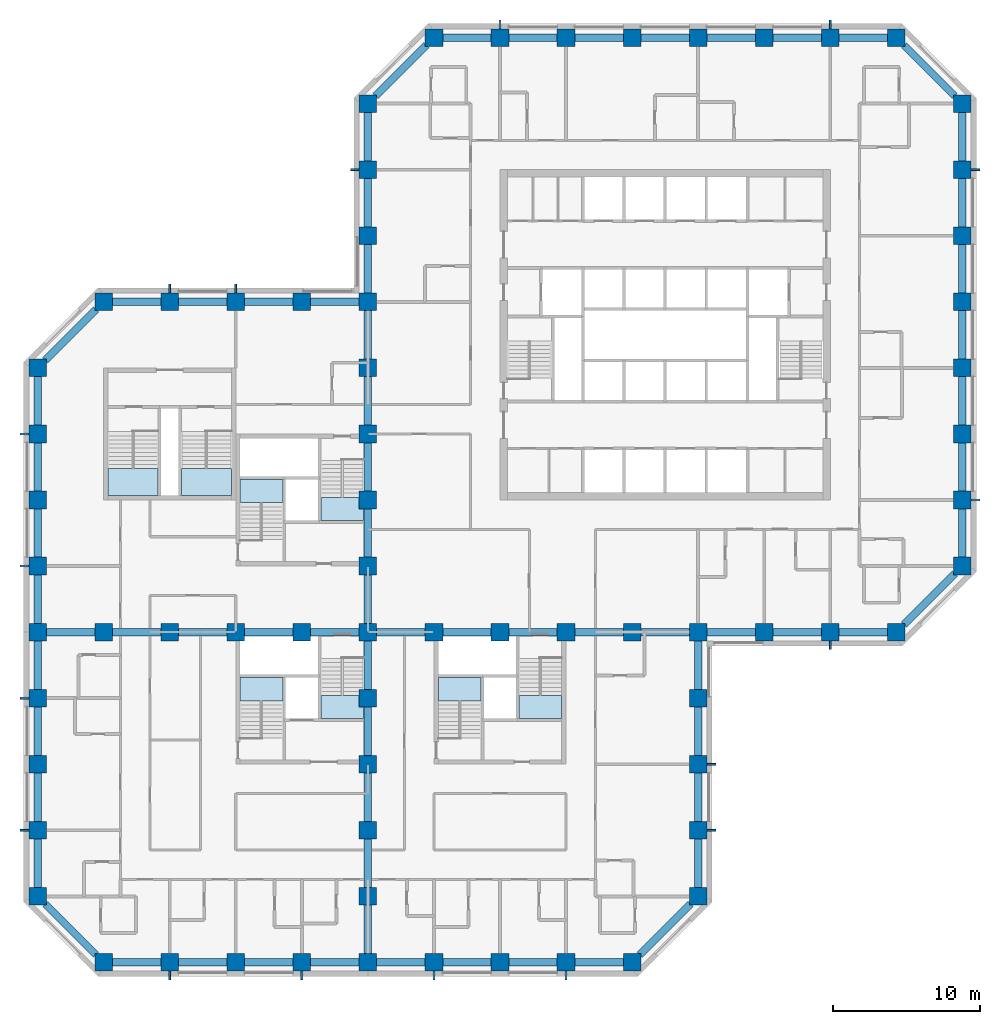
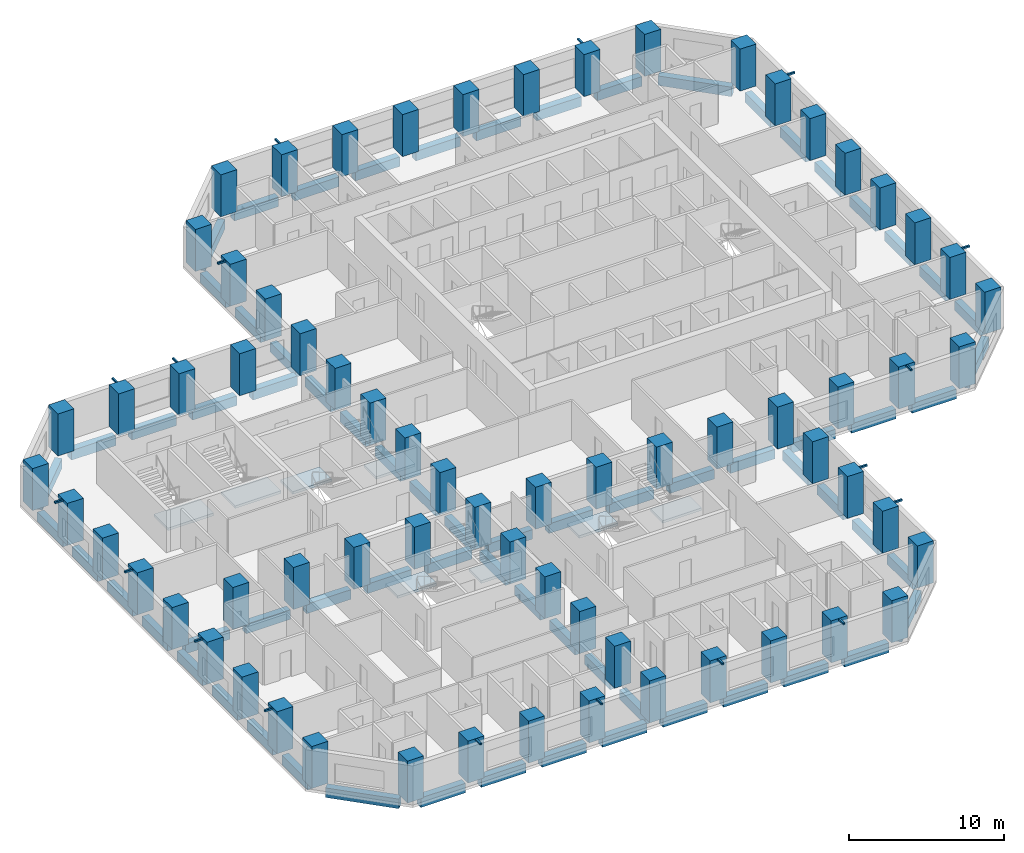
# One storey, part 1 of 13: 88 beams, 67 columns, 8 slabs, 8 elements without a shape of their own.
"""IFC4 building model written with IfcOpenShell, lengths in metres."""

from ifc_helpers import new_model, si_unit, direction, frame, origin, origin_2d, place, context, subcontext, project, spatial, polyline, rectangle, hollow_rectangle, outline, extrude, material, layer, layer_set, material_profile, profile_set, type_object, element, aggregate, save


model = new_model("IFC4")

# Units and contexts
model_context = context("Model", 3, precision=1e-05, world=origin(), true_north=direction((0.0, 1.0)))
body_context = subcontext(model_context, "Body", "Model", "MODEL_VIEW")
ifc_project = project(units=[si_unit("LENGTHUNIT", "METRE"), si_unit("AREAUNIT", "SQUARE_METRE"), si_unit("VOLUMEUNIT", "CUBIC_METRE"), si_unit("PLANEANGLEUNIT", "RADIAN"), si_unit("MASSUNIT", "GRAM", prefix="KILO")], contexts=[model_context])

# Site, building, storey
site_placement = place(None, origin())
site = spatial("IfcSite", under=ifc_project, at=site_placement, CompositionType="ELEMENT")
building_placement = place(site_placement, origin())
building = spatial("IfcBuilding", under=site, at=building_placement, Name="Quoin Convention Tower", CompositionType="ELEMENT")
storey_placement = place(building_placement, frame((0.0, 0.0, 49.5)))
storey = spatial("IfcBuildingStorey", under=building, at=storey_placement, Name="L12", CompositionType="ELEMENT", Elevation=49.5)

# Columns
ifc_material_1 = material(Name="Concrete C80", Category="concrete")
ifc_material_profile_1 = material_profile(ifc_material_1, rectangle(XDim=1.199951171875, YDim=1.199951171875, at=origin_2d()), Name="RC 1200x1200")
ifc_profile_set_1 = profile_set([ifc_material_profile_1], Name="Concrete C80")
column_type = type_object("IfcColumnType", Name="RC 1200x1200 C80", PredefinedType="COLUMN", material=ifc_profile_set_1)
for number, where, z_axis, x_axis, name in (
    (1, (18.0, 18.0, 0.0), (0.0, 0.0, 1.0), (1.0, 0.0, 0.0), "col-L12-18000_18000"),
    (2, (22.5, 18.0, 0.0), (0.0, 0.0, 1.0), (1.0, 0.0, 0.0), "col-L12-22500_18000"),
    (3, (27.0, 18.0, 0.0), (0.0, 0.0, 1.0), (1.0, 0.0, 0.0), "col-L12-27000_18000"),
    (4, (31.5, 18.0, 0.0), (0.0, 0.0, 1.0), (1.0, 0.0, 0.0), "col-L12-31500_18000"),
    (5, (36.0, 18.0, 0.0), (0.0, 0.0, 1.0), (1.0, 0.0, 0.0), "col-L12-36000_18000"),
    (6, (40.5, 18.0, 0.0), (0.0, 0.0, 1.0), (1.0, 0.0, 0.0), "col-L12-40500_18000"),
    (7, (45.0, 18.0, 0.0), (0.0, 0.0, 1.0), (1.0, 0.0, 0.0), "col-L12-45000_18000"),
    (8, (49.5, 18.0, 0.0), (0.0, 0.0, 1.0), (1.0, 0.0, 0.0), "col-L12-49500_18000"),
    (9, (54.0, 18.0, 0.0), (0.0, 0.0, 1.0), (1.0, 0.0, 0.0), "col-L12-54000_18000"),
    (10, (13.5, 22.5, 0.0), (0.0, 0.0, 1.0), (1.0, 0.0, 0.0), "col-L12-13500_22500"),
    (11, (36.0, 22.5, 0.0), (0.0, 0.0, 1.0), (1.0, 0.0, 0.0), "web-L12-36000_22500"),
    (12, (58.5, 22.5, 0.0), (0.0, 0.0, 1.0), (1.0, 0.0, 0.0), "col-L12-58500_22500"),
    (13, (13.5, 27.0, 0.0), (0.0, 0.0, 1.0), (1.0, 0.0, 0.0), "col-L12-13500_27000"),
    (14, (36.0, 27.0, 0.0), (0.0, 0.0, 1.0), (1.0, 0.0, 0.0), "web-L12-36000_27000"),
    (15, (58.5, 27.0, 0.0), (0.0, 0.0, 1.0), (1.0, 0.0, 0.0), "col-L12-58500_27000"),
    (16, (13.5, 31.5, 0.0), (0.0, 0.0, 1.0), (1.0, 0.0, 0.0), "col-L12-13500_31500"),
    (17, (36.0, 31.5, 0.0), (0.0, 0.0, 1.0), (1.0, 0.0, 0.0), "web-L12-36000_31500"),
    (18, (58.5, 31.5, 0.0), (0.0, 0.0, 1.0), (1.0, 0.0, 0.0), "col-L12-58500_31500"),
    (19, (13.5, 36.0, 0.0), (0.0, 0.0, 1.0), (1.0, 0.0, 0.0), "col-L12-13500_36000"),
    (20, (36.0, 36.0, 0.0), (0.0, 0.0, 1.0), (1.0, 0.0, 0.0), "web-L12-36000_36000"),
    (21, (58.5, 36.0, 0.0), (0.0, 0.0, 1.0), (1.0, 0.0, 0.0), "col-L12-58500_36000"),
    (22, (13.5, 40.5, 0.0), (0.0, 0.0, 1.0), (1.0, 0.0, 0.0), "col-L12-13500_40500"),
    (23, (18.0, 40.5, 0.0), (0.0, 0.0, 1.0), (1.0, 0.0, 0.0), "web-L12-18000_40500"),
    (24, (22.5, 40.5, 0.0), (0.0, 0.0, 1.0), (1.0, 0.0, 0.0), "web-L12-22500_40500"),
    (25, (27.0, 40.5, 0.0), (0.0, 0.0, 1.0), (1.0, 0.0, 0.0), "web-L12-27000_40500"),
    (26, (31.5, 40.5, 0.0), (0.0, 0.0, 1.0), (1.0, 0.0, 0.0), "web-L12-31500_40500"),
    (27, (36.0, 40.5, 0.0), (0.0, 0.0, 1.0), (1.0, 0.0, 0.0), "web-L12-36000_40500"),
    (28, (40.5, 40.5, 0.0), (0.0, 0.0, 1.0), (1.0, 0.0, 0.0), "web-L12-40500_40500"),
    (29, (45.0, 40.5, 0.0), (0.0, 0.0, 1.0), (1.0, 0.0, 0.0), "web-L12-45000_40500"),
    (30, (49.5, 40.5, 0.0), (0.0, 0.0, 1.0), (1.0, 0.0, 0.0), "web-L12-49500_40500"),
    (31, (54.0, 40.5, 0.0), (0.0, 0.0, 1.0), (1.0, 0.0, 0.0), "web-L12-54000_40500"),
    (32, (58.5, 40.5, 0.0), (0.0, 0.0, 1.0), (1.0, 0.0, 0.0), "col-L12-58500_40500"),
    (33, (63.0, 40.5, 0.0), (0.0, 0.0, 1.0), (1.0, 0.0, 0.0), "col-L12-63000_40500"),
    (34, (67.5, 40.5, 0.0), (0.0, 0.0, 1.0), (1.0, 0.0, 0.0), "col-L12-67500_40500"),
    (35, (72.0, 40.5, 0.0), (0.0, 0.0, 1.0), (1.0, 0.0, 0.0), "col-L12-72000_40500"),
    (36, (13.5, 45.0, 0.0), (0.0, 0.0, 1.0), (1.0, 0.0, 0.0), "col-L12-13500_45000"),
    (37, (36.0, 45.0, 0.0), (0.0, 0.0, 1.0), (1.0, 0.0, 0.0), "web-L12-36000_45000"),
    (38, (76.5, 45.0, 0.0), (0.0, 0.0, 1.0), (1.0, 0.0, 0.0), "col-L12-76500_45000"),
    (39, (13.5, 49.5, 0.0), (0.0, 0.0, 1.0), (1.0, 0.0, 0.0), "col-L12-13500_49500"),
    (40, (36.0, 49.5, 0.0), (0.0, 0.0, 1.0), (1.0, 0.0, 0.0), "web-L12-36000_49500"),
    (41, (76.5, 49.5, 0.0), (0.0, 0.0, 1.0), (1.0, 0.0, 0.0), "col-L12-76500_49500"),
    (42, (13.5, 54.0, 0.0), (0.0, 0.0, 1.0), (1.0, 0.0, 0.0), "col-L12-13500_54000"),
    (43, (36.0, 54.0, 0.0), (0.0, 0.0, 1.0), (1.0, 0.0, 0.0), "web-L12-36000_54000"),
    (44, (76.5, 54.0, 0.0), (0.0, 0.0, 1.0), (1.0, 0.0, 0.0), "col-L12-76500_54000"),
    (45, (13.5, 58.5, 0.0), (0.0, 0.0, 1.0), (1.0, 0.0, 0.0), "col-L12-13500_58500"),
    (46, (36.0, 58.5, 0.0), (0.0, 0.0, 1.0), (1.0, 0.0, 0.0), "web-L12-36000_58500"),
    (47, (76.5, 58.5, 0.0), (0.0, 0.0, 1.0), (1.0, 0.0, 0.0), "col-L12-76500_58500"),
    (48, (18.0, 63.0, 0.0), (0.0, 0.0, 1.0), (1.0, 0.0, 0.0), "col-L12-18000_63000"),
    (49, (22.5, 63.0, 0.0), (0.0, 0.0, 1.0), (1.0, 0.0, 0.0), "col-L12-22500_63000"),
    (50, (27.0, 63.0, 0.0), (0.0, 0.0, 1.0), (1.0, 0.0, 0.0), "col-L12-27000_63000"),
    (51, (31.5, 63.0, 0.0), (0.0, 0.0, 1.0), (1.0, 0.0, 0.0), "col-L12-31500_63000"),
    (52, (36.0, 63.0, 0.0), (0.0, 0.0, 1.0), (1.0, 0.0, 0.0), "col-L12-36000_63000"),
    (53, (76.5, 63.0, 0.0), (0.0, 0.0, 1.0), (1.0, 0.0, 0.0), "col-L12-76500_63000"),
    (54, (36.0, 67.5, 0.0), (0.0, 0.0, 1.0), (1.0, 0.0, 0.0), "col-L12-36000_67500"),
    (55, (76.5, 67.5, 0.0), (0.0, 0.0, 1.0), (1.0, 0.0, 0.0), "col-L12-76500_67500"),
    (56, (36.0, 72.0, 0.0), (0.0, 0.0, 1.0), (1.0, 0.0, 0.0), "col-L12-36000_72000"),
    (57, (76.5, 72.0, 0.0), (0.0, 0.0, 1.0), (1.0, 0.0, 0.0), "col-L12-76500_72000"),
    (58, (36.0, 76.5, 0.0), (0.0, 0.0, 1.0), (1.0, 0.0, 0.0), "col-L12-36000_76500"),
    (59, (76.5, 76.5, 0.0), (0.0, 0.0, 1.0), (1.0, 0.0, 0.0), "col-L12-76500_76500"),
    (60, (40.5, 81.0, 0.0), (0.0, 0.0, 1.0), (1.0, 0.0, 0.0), "col-L12-40500_81000"),
    (61, (45.0, 81.0, 0.0), (0.0, 0.0, 1.0), (1.0, 0.0, 0.0), "col-L12-45000_81000"),
    (62, (49.5, 81.0, 0.0), (0.0, 0.0, 1.0), (1.0, 0.0, 0.0), "col-L12-49500_81000"),
    (63, (54.0, 81.0, 0.0), (0.0, 0.0, 1.0), (1.0, 0.0, 0.0), "col-L12-54000_81000"),
    (64, (58.5, 81.0, 0.0), (0.0, 0.0, 1.0), (1.0, 0.0, 0.0), "col-L12-58500_81000"),
    (65, (63.0, 81.0, 0.0), (0.0, 0.0, 1.0), (1.0, 0.0, 0.0), "col-L12-63000_81000"),
    (66, (67.5, 81.0, 0.0), (0.0, 0.0, 1.0), (1.0, 0.0, 0.0), "col-L12-67500_81000"),
    (67, (72.0, 81.0, 0.0), (0.0, 0.0, 1.0), (1.0, 0.0, 0.0), "col-L12-72000_81000"),
):
    element("IfcColumn", number, at=place(storey_placement, frame(where, z_axis=z_axis, x_axis=x_axis)), inside=storey, type_object=column_type, Name=name, PredefinedType="COLUMN", context=body_context, shape_type="SweptSolid", body=[
        extrude(rectangle(XDim=1.199951171875, YDim=1.199951171875, at=origin_2d()), origin(), (0.0, 0.0, 1.0), 3.300048828125),
    ])

# Beams
ifc_material_2 = material(Name="Steel C450L0", Category="steel")
ifc_material_profile_2 = material_profile(ifc_material_2, hollow_rectangle(XDim=0.14990234375, YDim=0.14990234375, WallThickness=0.008056640625, InnerFilletRadius=0.011962890625, OuterFilletRadius=0.02001953125, at=origin_2d()), Name="150x150x8.0SHS")
ifc_profile_set_2 = profile_set([ifc_material_profile_2], Name="Steel C450L0")
beam_type_1 = type_object("IfcBeamType", Name="150x150x8.0SHS", PredefinedType="BEAM", material=ifc_profile_set_2)
for number, where, z_axis, x_axis, name in (
    (68, (12.89990234375, 36.0, 3.22509765625), (-1.0, 0.0, 0.0), (0.0, -1.0, 0.0), "brk-hi-L09-13500_40500-13500_36000"),
    (69, (12.89990234375, 27.0, 3.22509765625), (-1.0, 0.0, 0.0), (0.0, -1.0, 0.0), "brk-hi-L09-13500_27000-13500_22500"),
    (70, (12.89990234375, 54.0, 3.22509765625), (-1.0, 0.0, 0.0), (0.0, -1.0, 0.0), "brk-hi-L09-13500_58500-13500_54000"),
    (71, (12.89990234375, 45.0, 3.22509765625), (-1.0, 0.0, 0.0), (0.0, -1.0, 0.0), "brk-hi-L09-13500_45000-13500_40500"),
    (72, (22.5, 17.39990234375, 3.22509765625), (0.0, -1.0, 0.0), (1.0, 0.0, 0.0), "brk-hi-L09-18000_18000-22500_18000"),
    (73, (31.5, 17.39990234375, 3.22509765625), (0.0, -1.0, 0.0), (1.0, 0.0, 0.0), "brk-hi-L09-31500_18000-36000_18000"),
    (74, (40.5, 17.39990234375, 3.22509765625), (0.0, -1.0, 0.0), (1.0, 0.0, 0.0), "brk-hi-L09-36000_18000-40500_18000"),
    (75, (49.5, 17.39990234375, 3.22509765625), (0.0, -1.0, 0.0), (1.0, 0.0, 0.0), "brk-hi-L09-49500_18000-54000_18000"),
    (76, (27.0, 63.60009765625, 3.22509765625), (0.0, 1.0, 0.0), (-1.0, 0.0, 0.0), "brk-hi-L09-31500_63000-27000_63000"),
    (77, (22.5, 63.60009765625, 3.22509765625), (0.0, 1.0, 0.0), (-1.0, 0.0, 0.0), "brk-hi-L09-22500_63000-18000_63000"),
    (78, (35.39990234375, 72.0, 3.22509765625), (-1.0, 0.0, 0.0), (0.0, -1.0, 0.0), "brk-hi-L09-36000_76500-36000_72000"),
    (79, (59.10009765625, 27.0, 3.22509765625), (1.0, 0.0, 0.0), (0.0, 1.0, 0.0), "brk-hi-L09-58500_22500-58500_27000"),
    (80, (59.10009765625, 31.5, 3.22509765625), (1.0, 0.0, 0.0), (0.0, 1.0, 0.0), "brk-hi-L09-58500_31500-58500_36000"),
    (81, (67.5, 39.89990234375, 3.22509765625), (0.0, -1.0, 0.0), (1.0, 0.0, 0.0), "brk-hi-L09-63000_40500-67500_40500"),
    (82, (67.5, 81.60009765625, 3.22509765625), (0.0, 1.0, 0.0), (-1.0, 0.0, 0.0), "brk-hi-L09-72000_81000-67500_81000"),
    (83, (45.0, 81.60009765625, 3.22509765625), (0.0, 1.0, 0.0), (-1.0, 0.0, 0.0), "brk-hi-L09-45000_81000-40500_81000"),
    (84, (77.10009765625, 49.5, 3.22509765625), (1.0, 0.0, 0.0), (0.0, 1.0, 0.0), "brk-hi-L09-76500_45000-76500_49500"),
    (85, (77.10009765625, 72.0, 3.22509765625), (1.0, 0.0, 0.0), (0.0, 1.0, 0.0), "brk-hi-L09-76500_72000-76500_76500"),
):
    element("IfcBeam", number, at=place(storey_placement, frame(where, z_axis=z_axis, x_axis=x_axis)), inside=storey, type_object=beam_type_1, Name=name, PredefinedType="BEAM", context=body_context, shape_type="SweptSolid", body=[
        extrude(hollow_rectangle(XDim=0.14990234375, YDim=0.14990234375, WallThickness=0.008056640625, InnerFilletRadius=0.011962890625, OuterFilletRadius=0.02001953125, at=origin_2d()), origin(), (0.0, 0.0, 1.0), 0.599853515625),
    ])
ifc_material_profile_3 = material_profile(ifc_material_1, rectangle(XDim=0.5, YDim=0.75, at=origin_2d()), Name="RC 500x750")
ifc_profile_set_3 = profile_set([ifc_material_profile_3], Name="Concrete C80")
beam_type_2 = type_object("IfcBeamType", Name="RC 500x750 C80", PredefinedType="SPANDREL", material=ifc_profile_set_3)
beam_1_placement = place(storey_placement, frame((14.01513671875, 21.98486328125, -0.594970703125), z_axis=(0.707106781187, -0.707106781187, 0.0), x_axis=(0.707106781187, 0.707106781187, 0.0)))
element("IfcBeam", 86, at=beam_1_placement, inside=storey, type_object=beam_type_2, Name="spd-L12-13500_22500-18000_18000", PredefinedType="SPANDREL", context=body_context, shape_type="SweptSolid", body=[
    extrude(rectangle(XDim=0.5, YDim=0.75, at=origin_2d()), origin(), (0.0, 0.0, 1.0), 4.906982421875),
])
for number, where, z_axis, x_axis, name in (
    (87, (18.60009765625, 18.0, -0.594970703125), (1.0, 0.0, 0.0), (0.0, 1.0, 0.0), "spd-L12-18000_18000-22500_18000"),
    (88, (23.10009765625, 18.0, -0.594970703125), (1.0, 0.0, 0.0), (0.0, 1.0, 0.0), "spd-L12-22500_18000-27000_18000"),
    (89, (27.60009765625, 18.0, -0.594970703125), (1.0, 0.0, 0.0), (0.0, 1.0, 0.0), "spd-L12-27000_18000-31500_18000"),
    (90, (32.10009765625, 18.0, -0.594970703125), (1.0, 0.0, 0.0), (0.0, 1.0, 0.0), "spd-L12-31500_18000-36000_18000"),
    (91, (36.60009765625, 18.0, -0.594970703125), (1.0, 0.0, 0.0), (0.0, 1.0, 0.0), "spd-L12-36000_18000-40500_18000"),
    (92, (41.10009765625, 18.0, -0.594970703125), (1.0, 0.0, 0.0), (0.0, 1.0, 0.0), "spd-L12-40500_18000-45000_18000"),
    (93, (45.60009765625, 18.0, -0.594970703125), (1.0, 0.0, 0.0), (0.0, 1.0, 0.0), "spd-L12-45000_18000-49500_18000"),
    (94, (50.10009765625, 18.0, -0.594970703125), (1.0, 0.0, 0.0), (0.0, 1.0, 0.0), "spd-L12-49500_18000-54000_18000"),
):
    element("IfcBeam", number, at=place(storey_placement, frame(where, z_axis=z_axis, x_axis=x_axis)), inside=storey, type_object=beam_type_2, Name=name, PredefinedType="SPANDREL", context=body_context, shape_type="SweptSolid", body=[
        extrude(rectangle(XDim=0.5, YDim=0.75, at=origin_2d()), origin(), (0.0, 0.0, 1.0), 3.2998046875),
    ])
beam_2_placement = place(storey_placement, frame((54.51513671875, 18.51513671875, -0.594970703125), z_axis=(0.707106781187, 0.707106781187, 0.0), x_axis=(-0.707106781187, 0.707106781187, 0.0)))
element("IfcBeam", 95, at=beam_2_placement, inside=storey, type_object=beam_type_2, Name="spd-L12-54000_18000-58500_22500", PredefinedType="SPANDREL", context=body_context, shape_type="SweptSolid", body=[
    extrude(rectangle(XDim=0.5, YDim=0.75, at=origin_2d()), origin(), (0.0, 0.0, 1.0), 4.906982421875),
])
for number, where, z_axis, x_axis, name in (
    (96, (58.5, 23.10009765625, -0.594970703125), (0.0, 1.0, 0.0), (-1.0, 0.0, 0.0), "spd-L12-58500_22500-58500_27000"),
    (97, (58.5, 27.60009765625, -0.594970703125), (0.0, 1.0, 0.0), (-1.0, 0.0, 0.0), "spd-L12-58500_27000-58500_31500"),
    (98, (58.5, 32.10009765625, -0.594970703125), (0.0, 1.0, 0.0), (-1.0, 0.0, 0.0), "spd-L12-58500_31500-58500_36000"),
    (99, (58.5, 36.60009765625, -0.594970703125), (0.0, 1.0, 0.0), (-1.0, 0.0, 0.0), "spd-L12-58500_36000-58500_40500"),
    (100, (59.10009765625, 40.5, -0.594970703125), (1.0, 0.0, 0.0), (0.0, 1.0, 0.0), "spd-L12-58500_40500-63000_40500"),
    (101, (63.60009765625, 40.5, -0.594970703125), (1.0, 0.0, 0.0), (0.0, 1.0, 0.0), "spd-L12-63000_40500-67500_40500"),
    (102, (68.10009765625, 40.5, -0.594970703125), (1.0, 0.0, 0.0), (0.0, 1.0, 0.0), "spd-L12-67500_40500-72000_40500"),
):
    element("IfcBeam", number, at=place(storey_placement, frame(where, z_axis=z_axis, x_axis=x_axis)), inside=storey, type_object=beam_type_2, Name=name, PredefinedType="SPANDREL", context=body_context, shape_type="SweptSolid", body=[
        extrude(rectangle(XDim=0.5, YDim=0.75, at=origin_2d()), origin(), (0.0, 0.0, 1.0), 3.2998046875),
    ])
beam_3_placement = place(storey_placement, frame((72.51513671875, 41.01513671875, -0.594970703125), z_axis=(0.707106781187, 0.707106781187, 0.0), x_axis=(-0.707106781187, 0.707106781187, 0.0)))
element("IfcBeam", 103, at=beam_3_placement, inside=storey, type_object=beam_type_2, Name="spd-L12-72000_40500-76500_45000", PredefinedType="SPANDREL", context=body_context, shape_type="SweptSolid", body=[
    extrude(rectangle(XDim=0.5, YDim=0.75, at=origin_2d()), origin(), (0.0, 0.0, 1.0), 4.906982421875),
])
for number, where, z_axis, x_axis, name in (
    (104, (76.5, 45.60009765625, -0.594970703125), (0.0, 1.0, 0.0), (-1.0, 0.0, 0.0), "spd-L12-76500_45000-76500_49500"),
    (105, (76.5, 50.10009765625, -0.594970703125), (0.0, 1.0, 0.0), (-1.0, 0.0, 0.0), "spd-L12-76500_49500-76500_54000"),
    (106, (76.5, 54.60009765625, -0.594970703125), (0.0, 1.0, 0.0), (-1.0, 0.0, 0.0), "spd-L12-76500_54000-76500_58500"),
    (107, (76.5, 59.10009765625, -0.594970703125), (0.0, 1.0, 0.0), (-1.0, 0.0, 0.0), "spd-L12-76500_58500-76500_63000"),
    (108, (76.5, 63.60009765625, -0.594970703125), (0.0, 1.0, 0.0), (-1.0, 0.0, 0.0), "spd-L12-76500_63000-76500_67500"),
    (109, (76.5, 68.10009765625, -0.594970703125), (0.0, 1.0, 0.0), (-1.0, 0.0, 0.0), "spd-L12-76500_67500-76500_72000"),
    (110, (76.5, 72.60009765625, -0.594970703125), (0.0, 1.0, 0.0), (-1.0, 0.0, 0.0), "spd-L12-76500_72000-76500_76500"),
):
    element("IfcBeam", number, at=place(storey_placement, frame(where, z_axis=z_axis, x_axis=x_axis)), inside=storey, type_object=beam_type_2, Name=name, PredefinedType="SPANDREL", context=body_context, shape_type="SweptSolid", body=[
        extrude(rectangle(XDim=0.5, YDim=0.75, at=origin_2d()), origin(), (0.0, 0.0, 1.0), 3.2998046875),
    ])
beam_4_placement = place(storey_placement, frame((75.98486328125, 77.01513671875, -0.594970703125), z_axis=(-0.707106781187, 0.707106781187, 0.0), x_axis=(-0.707106781187, -0.707106781187, 0.0)))
element("IfcBeam", 111, at=beam_4_placement, inside=storey, type_object=beam_type_2, Name="spd-L12-76500_76500-72000_81000", PredefinedType="SPANDREL", context=body_context, shape_type="SweptSolid", body=[
    extrude(rectangle(XDim=0.5, YDim=0.75, at=origin_2d()), origin(), (0.0, 0.0, 1.0), 4.906982421875),
])
for number, where, z_axis, x_axis, name in (
    (112, (71.39990234375, 81.0, -0.594970703125), (-1.0, 0.0, 0.0), (0.0, -1.0, 0.0), "spd-L12-72000_81000-67500_81000"),
    (113, (66.89990234375, 81.0, -0.594970703125), (-1.0, 0.0, 0.0), (0.0, -1.0, 0.0), "spd-L12-67500_81000-63000_81000"),
    (114, (62.39990234375, 81.0, -0.594970703125), (-1.0, 0.0, 0.0), (0.0, -1.0, 0.0), "spd-L12-63000_81000-58500_81000"),
    (115, (57.89990234375, 81.0, -0.594970703125), (-1.0, 0.0, 0.0), (0.0, -1.0, 0.0), "spd-L12-58500_81000-54000_81000"),
    (116, (53.39990234375, 81.0, -0.594970703125), (-1.0, 0.0, 0.0), (0.0, -1.0, 0.0), "spd-L12-54000_81000-49500_81000"),
    (117, (48.89990234375, 81.0, -0.594970703125), (-1.0, 0.0, 0.0), (0.0, -1.0, 0.0), "spd-L12-49500_81000-45000_81000"),
    (118, (44.39990234375, 81.0, -0.594970703125), (-1.0, 0.0, 0.0), (0.0, -1.0, 0.0), "spd-L12-45000_81000-40500_81000"),
):
    element("IfcBeam", number, at=place(storey_placement, frame(where, z_axis=z_axis, x_axis=x_axis)), inside=storey, type_object=beam_type_2, Name=name, PredefinedType="SPANDREL", context=body_context, shape_type="SweptSolid", body=[
        extrude(rectangle(XDim=0.5, YDim=0.75, at=origin_2d()), origin(), (0.0, 0.0, 1.0), 3.2998046875),
    ])
beam_5_placement = place(storey_placement, frame((39.98486328125, 80.48486328125, -0.594970703125), z_axis=(-0.707106781187, -0.707106781187, 0.0), x_axis=(0.707106781187, -0.707106781187, 0.0)))
element("IfcBeam", 119, at=beam_5_placement, inside=storey, type_object=beam_type_2, Name="spd-L12-40500_81000-36000_76500", PredefinedType="SPANDREL", context=body_context, shape_type="SweptSolid", body=[
    extrude(rectangle(XDim=0.5, YDim=0.75, at=origin_2d()), origin(), (0.0, 0.0, 1.0), 4.906982421875),
])
for number, where, z_axis, x_axis, name in (
    (120, (36.0, 75.89990234375, -0.594970703125), (0.0, -1.0, 0.0), (1.0, 0.0, 0.0), "spd-L12-36000_76500-36000_72000"),
    (121, (36.0, 71.39990234375, -0.594970703125), (0.0, -1.0, 0.0), (1.0, 0.0, 0.0), "spd-L12-36000_72000-36000_67500"),
    (122, (36.0, 66.89990234375, -0.594970703125), (0.0, -1.0, 0.0), (1.0, 0.0, 0.0), "spd-L12-36000_67500-36000_63000"),
    (123, (35.39990234375, 63.0, -0.594970703125), (-1.0, 0.0, 0.0), (0.0, -1.0, 0.0), "spd-L12-36000_63000-31500_63000"),
    (124, (30.89990234375, 63.0, -0.594970703125), (-1.0, 0.0, 0.0), (0.0, -1.0, 0.0), "spd-L12-31500_63000-27000_63000"),
    (125, (26.39990234375, 63.0, -0.594970703125), (-1.0, 0.0, 0.0), (0.0, -1.0, 0.0), "spd-L12-27000_63000-22500_63000"),
    (126, (21.89990234375, 63.0, -0.594970703125), (-1.0, 0.0, 0.0), (0.0, -1.0, 0.0), "spd-L12-22500_63000-18000_63000"),
):
    element("IfcBeam", number, at=place(storey_placement, frame(where, z_axis=z_axis, x_axis=x_axis)), inside=storey, type_object=beam_type_2, Name=name, PredefinedType="SPANDREL", context=body_context, shape_type="SweptSolid", body=[
        extrude(rectangle(XDim=0.5, YDim=0.75, at=origin_2d()), origin(), (0.0, 0.0, 1.0), 3.2998046875),
    ])
beam_6_placement = place(storey_placement, frame((17.48486328125, 62.48486328125, -0.594970703125), z_axis=(-0.707106781187, -0.707106781187, 0.0), x_axis=(0.707106781187, -0.707106781187, 0.0)))
element("IfcBeam", 127, at=beam_6_placement, inside=storey, type_object=beam_type_2, Name="spd-L12-18000_63000-13500_58500", PredefinedType="SPANDREL", context=body_context, shape_type="SweptSolid", body=[
    extrude(rectangle(XDim=0.5, YDim=0.75, at=origin_2d()), origin(), (0.0, 0.0, 1.0), 4.906982421875),
])
for number, where, z_axis, x_axis, name in (
    (128, (13.5, 57.89990234375, -0.594970703125), (0.0, -1.0, 0.0), (1.0, 0.0, 0.0), "spd-L12-13500_58500-13500_54000"),
    (129, (13.5, 53.39990234375, -0.594970703125), (0.0, -1.0, 0.0), (1.0, 0.0, 0.0), "spd-L12-13500_54000-13500_49500"),
    (130, (13.5, 48.89990234375, -0.594970703125), (0.0, -1.0, 0.0), (1.0, 0.0, 0.0), "spd-L12-13500_49500-13500_45000"),
    (131, (13.5, 44.39990234375, -0.594970703125), (0.0, -1.0, 0.0), (1.0, 0.0, 0.0), "spd-L12-13500_45000-13500_40500"),
    (132, (13.5, 39.89990234375, -0.594970703125), (0.0, -1.0, 0.0), (1.0, 0.0, 0.0), "spd-L12-13500_40500-13500_36000"),
    (133, (13.5, 35.39990234375, -0.594970703125), (0.0, -1.0, 0.0), (1.0, 0.0, 0.0), "spd-L12-13500_36000-13500_31500"),
    (134, (13.5, 30.89990234375, -0.594970703125), (0.0, -1.0, 0.0), (1.0, 0.0, 0.0), "spd-L12-13500_31500-13500_27000"),
    (135, (13.5, 26.39990234375, -0.594970703125), (0.0, -1.0, 0.0), (1.0, 0.0, 0.0), "spd-L12-13500_27000-13500_22500"),
    (136, (14.10009765625, 40.5, -0.594970703125), (1.0, 0.0, 0.0), (0.0, 1.0, 0.0), "spd-L12-13500_40500-18000_40500"),
    (137, (18.60009765625, 40.5, -0.594970703125), (1.0, 0.0, 0.0), (0.0, 1.0, 0.0), "spd-L12-18000_40500-22500_40500"),
    (138, (23.10009765625, 40.5, -0.594970703125), (1.0, 0.0, 0.0), (0.0, 1.0, 0.0), "spd-L12-22500_40500-27000_40500"),
    (139, (27.60009765625, 40.5, -0.594970703125), (1.0, 0.0, 0.0), (0.0, 1.0, 0.0), "spd-L12-27000_40500-31500_40500"),
    (140, (32.10009765625, 40.5, -0.594970703125), (1.0, 0.0, 0.0), (0.0, 1.0, 0.0), "spd-L12-31500_40500-36000_40500"),
    (141, (36.60009765625, 40.5, -0.594970703125), (1.0, 0.0, 0.0), (0.0, 1.0, 0.0), "spd-L12-36000_40500-40500_40500"),
    (142, (41.10009765625, 40.5, -0.594970703125), (1.0, 0.0, 0.0), (0.0, 1.0, 0.0), "spd-L12-40500_40500-45000_40500"),
    (143, (45.60009765625, 40.5, -0.594970703125), (1.0, 0.0, 0.0), (0.0, 1.0, 0.0), "spd-L12-45000_40500-49500_40500"),
    (144, (50.10009765625, 40.5, -0.594970703125), (1.0, 0.0, 0.0), (0.0, 1.0, 0.0), "spd-L12-49500_40500-54000_40500"),
    (145, (54.60009765625, 40.5, -0.594970703125), (1.0, 0.0, 0.0), (0.0, 1.0, 0.0), "spd-L12-54000_40500-58500_40500"),
    (146, (36.0, 18.60009765625, -0.594970703125), (0.0, 1.0, 0.0), (-1.0, 0.0, 0.0), "spd-L12-36000_18000-36000_22500"),
    (147, (36.0, 23.10009765625, -0.594970703125), (0.0, 1.0, 0.0), (-1.0, 0.0, 0.0), "spd-L12-36000_22500-36000_27000"),
    (148, (36.0, 27.60009765625, -0.594970703125), (0.0, 1.0, 0.0), (-1.0, 0.0, 0.0), "spd-L12-36000_27000-36000_31500"),
    (149, (36.0, 32.10009765625, -0.594970703125), (0.0, 1.0, 0.0), (-1.0, 0.0, 0.0), "spd-L12-36000_31500-36000_36000"),
    (150, (36.0, 36.60009765625, -0.594970703125), (0.0, 1.0, 0.0), (-1.0, 0.0, 0.0), "spd-L12-36000_36000-36000_40500"),
    (151, (36.0, 41.10009765625, -0.594970703125), (0.0, 1.0, 0.0), (-1.0, 0.0, 0.0), "spd-L12-36000_40500-36000_45000"),
    (152, (36.0, 45.60009765625, -0.594970703125), (0.0, 1.0, 0.0), (-1.0, 0.0, 0.0), "spd-L12-36000_45000-36000_49500"),
    (153, (36.0, 50.10009765625, -0.594970703125), (0.0, 1.0, 0.0), (-1.0, 0.0, 0.0), "spd-L12-36000_49500-36000_54000"),
    (154, (36.0, 54.60009765625, -0.594970703125), (0.0, 1.0, 0.0), (-1.0, 0.0, 0.0), "spd-L12-36000_54000-36000_58500"),
    (155, (36.0, 59.10009765625, -0.594970703125), (0.0, 1.0, 0.0), (-1.0, 0.0, 0.0), "spd-L12-36000_58500-36000_63000"),
):
    element("IfcBeam", number, at=place(storey_placement, frame(where, z_axis=z_axis, x_axis=x_axis)), inside=storey, type_object=beam_type_2, Name=name, PredefinedType="SPANDREL", context=body_context, shape_type="SweptSolid", body=[
        extrude(rectangle(XDim=0.5, YDim=0.75, at=origin_2d()), origin(), (0.0, 0.0, 1.0), 3.2998046875),
    ])

# Stair, slab
ifc_material_3 = material(Name="Concrete C40", Category="concrete")
stair_type_1 = type_object("IfcStairType", Name="Exit stair two-flight 1350", PredefinedType="HALF_TURN_STAIR", material=ifc_material_3)
stair_1_placement = place(storey_placement, origin())
stair_1 = element("IfcStair", 156, at=stair_1_placement, inside=storey, type_object=stair_type_1, Name="SD3 L12", PredefinedType="HALF_TURN_STAIR")
ifc_layer = layer(ifc_material_3, 0.199951171875)
ifc_layer_set = layer_set([ifc_layer], Name="Concrete C40")
slab_type = type_object("IfcSlabType", Name="Stair landing 200", PredefinedType="LANDING", material=ifc_layer_set)
slab_1_placement = place(storey_placement, frame((0.0, 0.0, 1.449951171875)))
slab_1 = element("IfcSlab", 157, at=slab_1_placement, type_object=slab_type, Name="ST3 landing 1", PredefinedType="LANDING", context=body_context, shape_type="SweptSolid", body=[
    extrude(outline(polyline([(27.300048828125, 49.320068359375), (30.199951171875, 49.320068359375), (30.199951171875, 50.89990234375), (27.300048828125, 50.89990234375), (27.300048828125, 49.320068359375)])), origin(), (0.0, 0.0, 1.0), 0.199951171875),
])
aggregate(stair_1, [slab_1])

stair_2_placement = place(storey_placement, origin())
stair_2 = element("IfcStair", 158, at=stair_2_placement, inside=storey, type_object=stair_type_1, Name="SD4 L12", PredefinedType="HALF_TURN_STAIR")
slab_2_placement = place(storey_placement, frame((0.0, 0.0, 1.449951171875)))
slab_2 = element("IfcSlab", 159, at=slab_2_placement, type_object=slab_type, Name="ST4 landing 1", PredefinedType="LANDING", context=body_context, shape_type="SweptSolid", body=[
    extrude(outline(polyline([(35.699951171875, 49.679931640625), (32.800048828125, 49.679931640625), (32.800048828125, 48.10009765625), (35.699951171875, 48.10009765625), (35.699951171875, 49.679931640625)])), origin(), (0.0, 0.0, 1.0), 0.199951171875),
])
aggregate(stair_2, [slab_2])

stair_3_placement = place(storey_placement, origin())
stair_3 = element("IfcStair", 160, at=stair_3_placement, inside=storey, type_object=stair_type_1, Name="SD5 L12", PredefinedType="HALF_TURN_STAIR")
slab_3_placement = place(storey_placement, frame((0.0, 0.0, 1.449951171875)))
slab_3 = element("IfcSlab", 161, at=slab_3_placement, type_object=slab_type, Name="ST5 landing 1", PredefinedType="LANDING", context=body_context, shape_type="SweptSolid", body=[
    extrude(outline(polyline([(40.800048828125, 35.820068359375), (43.699951171875, 35.820068359375), (43.699951171875, 37.39990234375), (40.800048828125, 37.39990234375), (40.800048828125, 35.820068359375)])), origin(), (0.0, 0.0, 1.0), 0.199951171875),
])
aggregate(stair_3, [slab_3])

stair_4_placement = place(storey_placement, origin())
stair_4 = element("IfcStair", 162, at=stair_4_placement, inside=storey, type_object=stair_type_1, Name="SD6 L12", PredefinedType="HALF_TURN_STAIR")
slab_4_placement = place(storey_placement, frame((0.0, 0.0, 1.449951171875)))
slab_4 = element("IfcSlab", 163, at=slab_4_placement, type_object=slab_type, Name="ST6 landing 1", PredefinedType="LANDING", context=body_context, shape_type="SweptSolid", body=[
    extrude(outline(polyline([(49.199951171875, 36.179931640625), (46.300048828125, 36.179931640625), (46.300048828125, 34.60009765625), (49.199951171875, 34.60009765625), (49.199951171875, 36.179931640625)])), origin(), (0.0, 0.0, 1.0), 0.199951171875),
])
aggregate(stair_4, [slab_4])

stair_5_placement = place(storey_placement, origin())
stair_5 = element("IfcStair", 164, at=stair_5_placement, inside=storey, type_object=stair_type_1, Name="SD7 L12", PredefinedType="HALF_TURN_STAIR")
slab_5_placement = place(storey_placement, frame((0.0, 0.0, 1.449951171875)))
slab_5 = element("IfcSlab", 165, at=slab_5_placement, type_object=slab_type, Name="ST7 landing 1", PredefinedType="LANDING", context=body_context, shape_type="SweptSolid", body=[
    extrude(outline(polyline([(27.300048828125, 35.820068359375), (30.199951171875, 35.820068359375), (30.199951171875, 37.39990234375), (27.300048828125, 37.39990234375), (27.300048828125, 35.820068359375)])), origin(), (0.0, 0.0, 1.0), 0.199951171875),
])
aggregate(stair_5, [slab_5])

stair_6_placement = place(storey_placement, origin())
stair_6 = element("IfcStair", 166, at=stair_6_placement, inside=storey, type_object=stair_type_1, Name="SD8 L12", PredefinedType="HALF_TURN_STAIR")
slab_6_placement = place(storey_placement, frame((0.0, 0.0, 1.449951171875)))
slab_6 = element("IfcSlab", 167, at=slab_6_placement, type_object=slab_type, Name="ST8 landing 1", PredefinedType="LANDING", context=body_context, shape_type="SweptSolid", body=[
    extrude(outline(polyline([(35.699951171875, 36.179931640625), (32.800048828125, 36.179931640625), (32.800048828125, 34.60009765625), (35.699951171875, 34.60009765625), (35.699951171875, 36.179931640625)])), origin(), (0.0, 0.0, 1.0), 0.199951171875),
])
aggregate(stair_6, [slab_6])

stair_type_2 = type_object("IfcStairType", Name="Exit stair two-flight 1600", PredefinedType="HALF_TURN_STAIR", material=ifc_material_3)
stair_7_placement = place(storey_placement, origin())
stair_7 = element("IfcStair", 168, at=stair_7_placement, inside=storey, type_object=stair_type_2, Name="SD11 L12", PredefinedType="HALF_TURN_STAIR")
slab_7_placement = place(storey_placement, frame((0.0, 0.0, 1.449951171875)))
slab_7 = element("IfcSlab", 169, at=slab_7_placement, type_object=slab_type, Name="ST11 landing 1", PredefinedType="LANDING", context=body_context, shape_type="SweptSolid", body=[
    extrude(outline(polyline([(21.699951171875, 51.6298828125), (18.300048828125, 51.6298828125), (18.300048828125, 49.800048828125), (21.699951171875, 49.800048828125), (21.699951171875, 51.6298828125)])), origin(), (0.0, 0.0, 1.0), 0.199951171875),
])
aggregate(stair_7, [slab_7])

stair_8_placement = place(storey_placement, origin())
stair_8 = element("IfcStair", 170, at=stair_8_placement, inside=storey, type_object=stair_type_2, Name="SD12 L12", PredefinedType="HALF_TURN_STAIR")
slab_8_placement = place(storey_placement, frame((0.0, 0.0, 1.449951171875)))
slab_8 = element("IfcSlab", 171, at=slab_8_placement, type_object=slab_type, Name="ST12 landing 1", PredefinedType="LANDING", context=body_context, shape_type="SweptSolid", body=[
    extrude(outline(polyline([(26.699951171875, 51.6298828125), (23.300048828125, 51.6298828125), (23.300048828125, 49.800048828125), (26.699951171875, 49.800048828125), (26.699951171875, 51.6298828125)])), origin(), (0.0, 0.0, 1.0), 0.199951171875),
])
aggregate(stair_8, [slab_8])

save(model, "model.ifc")
